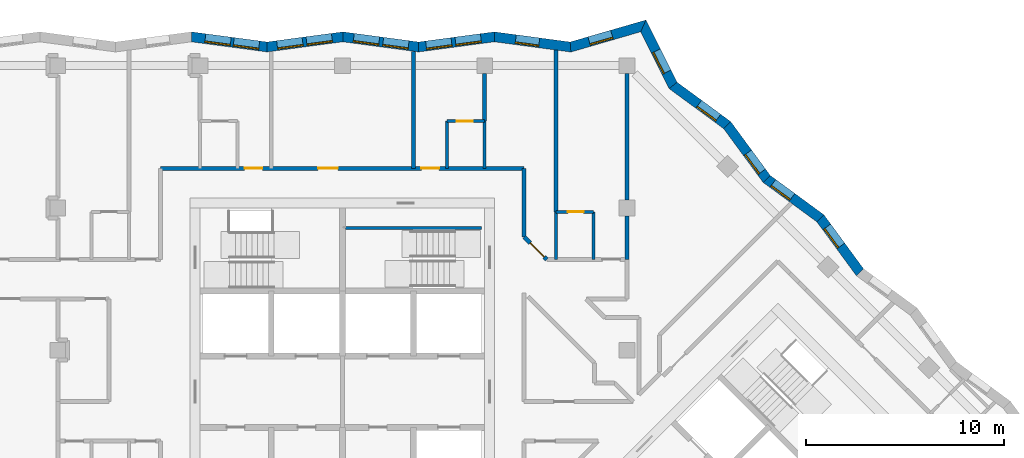
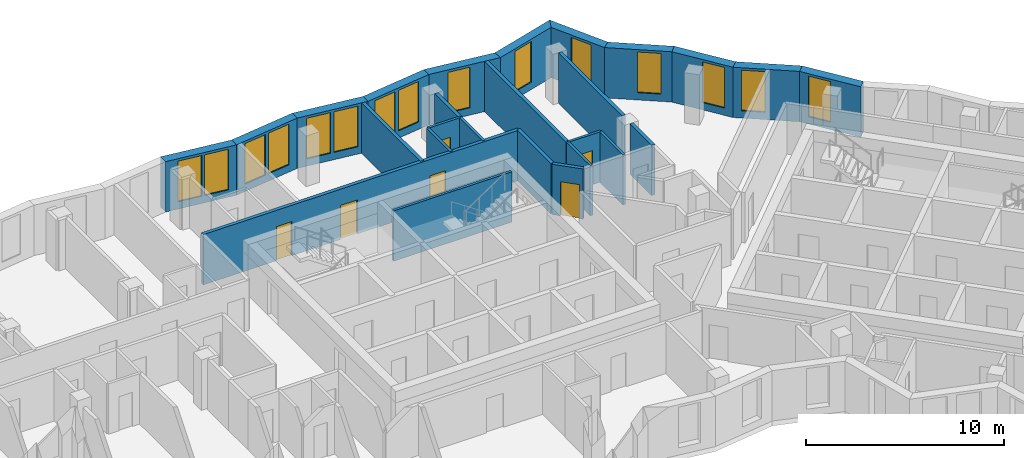
# One storey, part 7 of 12: 26 walls, 15 windows, 6 doors, 21 openings.
"""IFC4 building model written with IfcOpenShell, lengths in metres."""

from ifc_helpers import new_model, si_unit, direction, frame, frame_2d, origin, place, context, subcontext, project, spatial, polyline, rectangle, outline, extrude, material, layer, layer_set, type_object, element, fill, save


model = new_model("IFC4")

# Units and contexts
model_context = context("Model", 3, precision=1e-05, world=origin(), true_north=direction((0.0, 1.0)))
body_context = subcontext(model_context, "Body", "Model", "MODEL_VIEW")
ifc_project = project(units=[si_unit("LENGTHUNIT", "METRE"), si_unit("AREAUNIT", "SQUARE_METRE"), si_unit("VOLUMEUNIT", "CUBIC_METRE"), si_unit("PLANEANGLEUNIT", "RADIAN"), si_unit("MASSUNIT", "GRAM", prefix="KILO")], contexts=[model_context])

# Site, building, storey
site_placement = place(None, origin())
site = spatial("IfcSite", under=ifc_project, at=site_placement, CompositionType="ELEMENT")
building_placement = place(site_placement, origin())
building = spatial("IfcBuilding", under=site, at=building_placement, Name="Windrow Commons", CompositionType="ELEMENT")
storey_placement = place(building_placement, frame((0.0, 0.0, 213.4)))
storey = spatial("IfcBuildingStorey", under=building, at=storey_placement, Name="L58", CompositionType="ELEMENT", Elevation=213.4)

# Wall, opening, window
ifc_material_1 = material(Name="Brick masonry, red clay brick", Category="masonry")
ifc_layer_1 = layer(ifc_material_1, 0.5)
ifc_layer_set_1 = layer_set([ifc_layer_1], Name="Brick facade wall 500")
wall_type_1 = type_object("IfcWallType", Name="Brick facade wall 500", PredefinedType="SOLIDWALL", material=ifc_layer_set_1)
wall_1_placement = place(storey_placement, frame((90.9863, 61.5532, 0.0), z_axis=(0.0, 0.0, 1.0), x_axis=(-0.5916565162, 0.8061901555, 0.0)))
wall_1 = element("IfcWall", 1, at=wall_1_placement, inside=storey, type_object=wall_type_1, Name="Brick facade wall L58 12", PredefinedType="SOLIDWALL", context=body_context, shape_type="SweptSolid", body=[
    extrude(outline(polyline([(0.0384, -0.25), (3.4132, -0.25), (3.3365, 0.25), (-0.0384, 0.25), (0.0384, -0.25)])), origin(), (0.0, 0.0, 1.0), 3.1),
])
opening_1_placement = place(wall_1_placement, frame((1.6366, 0.0, 0.45)))
opening_1 = element("IfcOpeningElement", 2, at=opening_1_placement, cuts=wall_1, Name="Opening W7E", PredefinedType="OPENING", context=body_context, shape_type="SweptSolid", body=[
    extrude(rectangle(XDim=1.2, YDim=2.5, at=frame_2d((0.6, 1.25))), frame((0.0, 0.26, 0.0), z_axis=(0.0, -1.0, 0.0), x_axis=(1.0, 0.0, 0.0)), (0.0, 0.0, 1.0), 0.52),
])
ifc_material_2 = material(Name="Clear float glass in anodised aluminium frame", Category="aluminium")
window_type_1 = type_object("IfcWindowType", Name="Window W7 notch 1200x2500", PartitioningType="SINGLE_PANEL", PredefinedType="WINDOW", material=ifc_material_2)
window_1_placement = place(opening_1_placement, origin())
window_1 = element("IfcWindow", 3, at=window_1_placement, inside=storey, type_object=window_type_1, Name="Window L58 12.1", OverallHeight=2.5, OverallWidth=1.2, PartitioningType="SINGLE_PANEL", PredefinedType="WINDOW", context=body_context, shape_type="SweptSolid", body=[
    extrude(rectangle(XDim=1.2, YDim=2.5, at=frame_2d((0.6, 1.25))), frame((0.0, 0.18, 0.0), z_axis=(0.0, -1.0, 0.0), x_axis=(1.0, 0.0, 0.0)), (0.0, 0.0, 1.0), 0.06),
])
fill(opening_1, window_1)

wall_2_placement = place(storey_placement, frame((88.9896, 64.2739, 0.0), z_axis=(0.0, 0.0, 1.0), x_axis=(-0.806200528, 0.5916423825, 0.0)))
wall_2 = element("IfcWall", 4, at=wall_2_placement, inside=storey, type_object=wall_type_1, Name="Brick facade wall L58 13", PredefinedType="SOLIDWALL", context=body_context, shape_type="SweptSolid", body=[
    extrude(outline(polyline([(-0.0384, -0.25), (3.3365, -0.25), (3.4132, 0.25), (0.0384, 0.25), (-0.0384, -0.25)])), origin(), (0.0, 0.0, 1.0), 3.1),
])
opening_2_placement = place(wall_2_placement, frame((1.7894, 0.0, 0.45)))
opening_2 = element("IfcOpeningElement", 5, at=opening_2_placement, cuts=wall_2, Name="Opening W7E", PredefinedType="OPENING", context=body_context, shape_type="SweptSolid", body=[
    extrude(rectangle(XDim=1.2, YDim=2.5, at=frame_2d((0.6, 1.25))), frame((0.0, 0.26, 0.0), z_axis=(0.0, -1.0, 0.0), x_axis=(1.0, 0.0, 0.0)), (0.0, 0.0, 1.0), 0.52),
])
window_2_placement = place(opening_2_placement, origin())
window_2 = element("IfcWindow", 6, at=window_2_placement, inside=storey, type_object=window_type_1, Name="Window L58 13.1", OverallHeight=2.5, OverallWidth=1.2, PartitioningType="SINGLE_PANEL", PredefinedType="WINDOW", context=body_context, shape_type="SweptSolid", body=[
    extrude(rectangle(XDim=1.2, YDim=2.5, at=frame_2d((0.6, 1.25))), frame((0.0, 0.18, 0.0), z_axis=(0.0, -1.0, 0.0), x_axis=(1.0, 0.0, 0.0)), (0.0, 0.0, 1.0), 0.06),
])
fill(opening_2, window_2)

wall_3_placement = place(storey_placement, frame((86.2688, 66.2706, 0.0), z_axis=(0.0, 0.0, 1.0), x_axis=(-0.5916423825, 0.806200528, 0.0)))
wall_3 = element("IfcWall", 7, at=wall_3_placement, inside=storey, type_object=wall_type_1, Name="Brick facade wall L58 14", PredefinedType="SOLIDWALL", context=body_context, shape_type="SweptSolid", body=[
    extrude(outline(polyline([(0.0384, -0.25), (3.4132, -0.25), (3.3365, 0.25), (-0.0384, 0.25), (0.0384, -0.25)])), origin(), (0.0, 0.0, 1.0), 3.1),
])
opening_3_placement = place(wall_3_placement, frame((0.4357, 0.0, 0.45)))
opening_3 = element("IfcOpeningElement", 8, at=opening_3_placement, cuts=wall_3, Name="Opening W7E", PredefinedType="OPENING", context=body_context, shape_type="SweptSolid", body=[
    extrude(rectangle(XDim=1.2, YDim=2.5, at=frame_2d((0.6, 1.25))), frame((0.0, 0.26, 0.0), z_axis=(0.0, -1.0, 0.0), x_axis=(1.0, 0.0, 0.0)), (0.0, 0.0, 1.0), 0.52),
])
window_3_placement = place(opening_3_placement, origin())
window_3 = element("IfcWindow", 9, at=window_3_placement, inside=storey, type_object=window_type_1, Name="Window L58 14.1", OverallHeight=2.5, OverallWidth=1.2, PartitioningType="SINGLE_PANEL", PredefinedType="WINDOW", context=body_context, shape_type="SweptSolid", body=[
    extrude(rectangle(XDim=1.2, YDim=2.5, at=frame_2d((0.6, 1.25))), frame((0.0, 0.18, 0.0), z_axis=(0.0, -1.0, 0.0), x_axis=(1.0, 0.0, 0.0)), (0.0, 0.0, 1.0), 0.06),
])
fill(opening_3, window_3)

wall_4_placement = place(storey_placement, frame((84.2721, 68.9914, 0.0), z_axis=(0.0, 0.0, 1.0), x_axis=(-0.8062093458, 0.5916303667, 0.0)))
wall_4 = element("IfcWall", 10, at=wall_4_placement, inside=storey, type_object=wall_type_1, Name="Brick facade wall L58 15", PredefinedType="SOLIDWALL", context=body_context, shape_type="SweptSolid", body=[
    extrude(outline(polyline([(-0.0384, -0.25), (3.3365, -0.25), (3.4572, 0.25), (0.0384, 0.25), (-0.0384, -0.25)])), origin(), (0.0, 0.0, 1.0), 3.1),
])
opening_4_placement = place(wall_4_placement, frame((0.5885, 0.0, 0.45)))
opening_4 = element("IfcOpeningElement", 11, at=opening_4_placement, cuts=wall_4, Name="Opening W7E", PredefinedType="OPENING", context=body_context, shape_type="SweptSolid", body=[
    extrude(rectangle(XDim=1.2, YDim=2.5, at=frame_2d((0.6, 1.25))), frame((0.0, 0.26, 0.0), z_axis=(0.0, -1.0, 0.0), x_axis=(1.0, 0.0, 0.0)), (0.0, 0.0, 1.0), 0.52),
])
window_4_placement = place(opening_4_placement, origin())
window_4 = element("IfcWindow", 12, at=window_4_placement, inside=storey, type_object=window_type_1, Name="Window L58 15.1", OverallHeight=2.5, OverallWidth=1.2, PartitioningType="SINGLE_PANEL", PredefinedType="WINDOW", context=body_context, shape_type="SweptSolid", body=[
    extrude(rectangle(XDim=1.2, YDim=2.5, at=frame_2d((0.6, 1.25))), frame((0.0, 0.18, 0.0), z_axis=(0.0, -1.0, 0.0), x_axis=(1.0, 0.0, 0.0)), (0.0, 0.0, 1.0), 0.06),
])
fill(opening_4, window_4)

wall_5_placement = place(storey_placement, frame((81.5335, 71.0011, 0.0), z_axis=(0.0, 0.0, 1.0), x_axis=(-0.4471660935, 0.8944509404, 0.0)))
wall_5 = element("IfcWall", 13, at=wall_5_placement, inside=storey, type_object=wall_type_1, Name="Brick facade wall L58 16", PredefinedType="SOLIDWALL", context=body_context, shape_type="SweptSolid", body=[
    extrude(outline(polyline([(0.0604, -0.25), (3.5766, -0.25), (3.1599, 0.25), (-0.0604, 0.25), (0.0604, -0.25)])), origin(), (0.0, 0.0, 1.0), 3.1),
])
opening_5_placement = place(wall_5_placement, frame((0.7419, 0.0, 0.45)))
opening_5 = element("IfcOpeningElement", 14, at=opening_5_placement, cuts=wall_5, Name="Opening W7E", PredefinedType="OPENING", context=body_context, shape_type="SweptSolid", body=[
    extrude(rectangle(XDim=1.2, YDim=2.5, at=frame_2d((0.6, 1.25))), frame((0.0, 0.26, 0.0), z_axis=(0.0, -1.0, 0.0), x_axis=(1.0, 0.0, 0.0)), (0.0, 0.0, 1.0), 0.52),
])
window_5_placement = place(opening_5_placement, origin())
window_5 = element("IfcWindow", 15, at=window_5_placement, inside=storey, type_object=window_type_1, Name="Window L58 16.1", OverallHeight=2.5, OverallWidth=1.2, PartitioningType="SINGLE_PANEL", PredefinedType="WINDOW", context=body_context, shape_type="SweptSolid", body=[
    extrude(rectangle(XDim=1.2, YDim=2.5, at=frame_2d((0.6, 1.25))), frame((0.0, 0.18, 0.0), z_axis=(0.0, -1.0, 0.0), x_axis=(1.0, 0.0, 0.0)), (0.0, 0.0, 1.0), 0.06),
])
fill(opening_5, window_5)

wall_6_placement = place(storey_placement, frame((80.0273, 74.0139, 0.0), z_axis=(0.0, 0.0, 1.0), x_axis=(-0.9604074482, -0.2785992345, 0.0)))
wall_6 = element("IfcWall", 16, at=wall_6_placement, inside=storey, type_object=wall_type_1, Name="Brick facade wall L58 17", PredefinedType="SOLIDWALL", context=body_context, shape_type="SweptSolid", body=[
    extrude(outline(polyline([(-0.2083, -0.25), (3.7832, -0.25), (3.8885, 0.25), (0.2083, 0.25), (-0.2083, -0.25)])), origin(), (0.0, 0.0, 1.0), 3.1),
])
opening_6_placement = place(wall_6_placement, frame((1.6486, 0.0, 0.45)))
opening_6 = element("IfcOpeningElement", 17, at=opening_6_placement, cuts=wall_6, Name="Opening W7E", PredefinedType="OPENING", context=body_context, shape_type="SweptSolid", body=[
    extrude(rectangle(XDim=1.2, YDim=2.5, at=frame_2d((0.6, 1.25))), frame((0.0, 0.26, 0.0), z_axis=(0.0, -1.0, 0.0), x_axis=(1.0, 0.0, 0.0)), (0.0, 0.0, 1.0), 0.52),
])
window_6_placement = place(opening_6_placement, origin())
window_6 = element("IfcWindow", 18, at=window_6_placement, inside=storey, type_object=window_type_1, Name="Window L58 17.1", OverallHeight=2.5, OverallWidth=1.2, PartitioningType="SINGLE_PANEL", PredefinedType="WINDOW", context=body_context, shape_type="SweptSolid", body=[
    extrude(rectangle(XDim=1.2, YDim=2.5, at=frame_2d((0.6, 1.25))), frame((0.0, 0.18, 0.0), z_axis=(0.0, -1.0, 0.0), x_axis=(1.0, 0.0, 0.0)), (0.0, 0.0, 1.0), 0.06),
])
fill(opening_6, window_6)

wall_7_placement = place(storey_placement, frame((76.3432, 72.9452, 0.0), z_axis=(0.0, 0.0, 1.0), x_axis=(-0.991196865, 0.1323962796, 0.0)))
wall_7 = element("IfcWall", 19, at=wall_7_placement, inside=storey, type_object=wall_type_1, Name="Brick facade wall L58 18", PredefinedType="SOLIDWALL", context=body_context, shape_type="SweptSolid", body=[
    extrude(outline(polyline([(0.0526, -0.25), (3.9202, -0.25), (3.8535, 0.25), (-0.0526, 0.25), (0.0526, -0.25)])), origin(), (0.0, 0.0, 1.0), 3.1),
])
opening_7_placement = place(wall_7_placement, frame((1.6016, 0.0, 0.45)))
opening_7 = element("IfcOpeningElement", 20, at=opening_7_placement, cuts=wall_7, Name="Opening W7E", PredefinedType="OPENING", context=body_context, shape_type="SweptSolid", body=[
    extrude(rectangle(XDim=1.2, YDim=2.5, at=frame_2d((0.6, 1.25))), frame((0.0, 0.26, 0.0), z_axis=(0.0, -1.0, 0.0), x_axis=(1.0, 0.0, 0.0)), (0.0, 0.0, 1.0), 0.52),
])
window_7_placement = place(opening_7_placement, origin())
window_7 = element("IfcWindow", 21, at=window_7_placement, inside=storey, type_object=window_type_1, Name="Window L58 18.1", OverallHeight=2.5, OverallWidth=1.2, PartitioningType="SINGLE_PANEL", PredefinedType="WINDOW", context=body_context, shape_type="SweptSolid", body=[
    extrude(rectangle(XDim=1.2, YDim=2.5, at=frame_2d((0.6, 1.25))), frame((0.0, 0.18, 0.0), z_axis=(0.0, -1.0, 0.0), x_axis=(1.0, 0.0, 0.0)), (0.0, 0.0, 1.0), 0.06),
])
fill(opening_7, window_7)

# Wall, openings, windows
wall_8_placement = place(storey_placement, frame((72.4906, 73.4598, 0.0), z_axis=(0.0, 0.0, 1.0), x_axis=(-0.9911985198, -0.13238389, 0.0)))
wall_8 = element("IfcWall", 22, at=wall_8_placement, inside=storey, type_object=wall_type_1, Name="Brick facade wall L58 19", PredefinedType="SOLIDWALL", context=body_context, shape_type="SweptSolid", body=[
    extrude(outline(polyline([(-0.0334, -0.25), (3.8342, -0.25), (3.901, 0.25), (0.0334, 0.25), (-0.0334, -0.25)])), origin(), (0.0, 0.0, 1.0), 3.1),
])
opening_8_placement = place(wall_8_placement, frame((0.6813, 0.0, 0.45)))
opening_8 = element("IfcOpeningElement", 23, at=opening_8_placement, cuts=wall_8, Name="Opening W1Q", PredefinedType="OPENING", context=body_context, shape_type="SweptSolid", body=[
    extrude(rectangle(XDim=1.3, YDim=2.5, at=frame_2d((0.65, 1.25))), frame((0.0, 0.26, 0.0), z_axis=(0.0, -1.0, 0.0), x_axis=(1.0, 0.0, 0.0)), (0.0, 0.0, 1.0), 0.52),
])
opening_9_placement = place(wall_8_placement, frame((2.1813, 0.0, 0.45)))
opening_9 = element("IfcOpeningElement", 24, at=opening_9_placement, cuts=wall_8, Name="Opening W1Q", PredefinedType="OPENING", context=body_context, shape_type="SweptSolid", body=[
    extrude(rectangle(XDim=1.3, YDim=2.5, at=frame_2d((0.65, 1.25))), frame((0.0, 0.26, 0.0), z_axis=(0.0, -1.0, 0.0), x_axis=(1.0, 0.0, 0.0)), (0.0, 0.0, 1.0), 0.52),
])
ifc_material_3 = material(Name="Clear float glass in anodised aluminium frame", Category="aluminium")
window_type_2 = type_object("IfcWindowType", Name="Window W1Q pair 1300x2500", PartitioningType="SINGLE_PANEL", PredefinedType="WINDOW", material=ifc_material_3)
window_8_placement = place(opening_8_placement, origin())
window_8 = element("IfcWindow", 25, at=window_8_placement, inside=storey, type_object=window_type_2, Name="Window L58 19.1A", OverallHeight=2.5, OverallWidth=1.3, PartitioningType="SINGLE_PANEL", PredefinedType="WINDOW", context=body_context, shape_type="SweptSolid", body=[
    extrude(rectangle(XDim=1.3, YDim=2.5, at=frame_2d((0.65, 1.25))), frame((0.0, 0.18, 0.0), z_axis=(0.0, -1.0, 0.0), x_axis=(1.0, 0.0, 0.0)), (0.0, 0.0, 1.0), 0.06),
])
fill(opening_8, window_8)
window_9_placement = place(opening_9_placement, origin())
window_9 = element("IfcWindow", 26, at=window_9_placement, inside=storey, type_object=window_type_2, Name="Window L58 19.1B", OverallHeight=2.5, OverallWidth=1.3, PartitioningType="SINGLE_PANEL", PredefinedType="WINDOW", context=body_context, shape_type="SweptSolid", body=[
    extrude(rectangle(XDim=1.3, YDim=2.5, at=frame_2d((0.65, 1.25))), frame((0.0, 0.18, 0.0), z_axis=(0.0, -1.0, 0.0), x_axis=(1.0, 0.0, 0.0)), (0.0, 0.0, 1.0), 0.06),
])
fill(opening_9, window_9)

wall_9_placement = place(storey_placement, frame((68.6571, 72.9478, 0.0), z_axis=(0.0, 0.0, 1.0), x_axis=(-0.9911989729, 0.1323804972, 0.0)))
wall_9 = element("IfcWall", 27, at=wall_9_placement, inside=storey, type_object=wall_type_1, Name="Brick facade wall L58 20", PredefinedType="SOLIDWALL", context=body_context, shape_type="SweptSolid", body=[
    extrude(outline(polyline([(0.0334, -0.25), (3.901, -0.25), (3.8342, 0.25), (-0.0334, 0.25), (0.0334, -0.25)])), origin(), (0.0, 0.0, 1.0), 3.1),
])
opening_10_placement = place(wall_9_placement, frame((0.5171, 0.0, 0.45)))
opening_10 = element("IfcOpeningElement", 28, at=opening_10_placement, cuts=wall_9, Name="Opening W1Q", PredefinedType="OPENING", context=body_context, shape_type="SweptSolid", body=[
    extrude(rectangle(XDim=1.3, YDim=2.5, at=frame_2d((0.65, 1.25))), frame((0.0, 0.26, 0.0), z_axis=(0.0, -1.0, 0.0), x_axis=(1.0, 0.0, 0.0)), (0.0, 0.0, 1.0), 0.52),
])
opening_11_placement = place(wall_9_placement, frame((2.0171, 0.0, 0.45)))
opening_11 = element("IfcOpeningElement", 29, at=opening_11_placement, cuts=wall_9, Name="Opening W1Q", PredefinedType="OPENING", context=body_context, shape_type="SweptSolid", body=[
    extrude(rectangle(XDim=1.3, YDim=2.5, at=frame_2d((0.65, 1.25))), frame((0.0, 0.26, 0.0), z_axis=(0.0, -1.0, 0.0), x_axis=(1.0, 0.0, 0.0)), (0.0, 0.0, 1.0), 0.52),
])
window_10_placement = place(opening_10_placement, origin())
window_10 = element("IfcWindow", 30, at=window_10_placement, inside=storey, type_object=window_type_2, Name="Window L58 20.1A", OverallHeight=2.5, OverallWidth=1.3, PartitioningType="SINGLE_PANEL", PredefinedType="WINDOW", context=body_context, shape_type="SweptSolid", body=[
    extrude(rectangle(XDim=1.3, YDim=2.5, at=frame_2d((0.65, 1.25))), frame((0.0, 0.18, 0.0), z_axis=(0.0, -1.0, 0.0), x_axis=(1.0, 0.0, 0.0)), (0.0, 0.0, 1.0), 0.06),
])
fill(opening_10, window_10)
window_11_placement = place(opening_11_placement, origin())
window_11 = element("IfcWindow", 31, at=window_11_placement, inside=storey, type_object=window_type_2, Name="Window L58 20.1B", OverallHeight=2.5, OverallWidth=1.3, PartitioningType="SINGLE_PANEL", PredefinedType="WINDOW", context=body_context, shape_type="SweptSolid", body=[
    extrude(rectangle(XDim=1.3, YDim=2.5, at=frame_2d((0.65, 1.25))), frame((0.0, 0.18, 0.0), z_axis=(0.0, -1.0, 0.0), x_axis=(1.0, 0.0, 0.0)), (0.0, 0.0, 1.0), 0.06),
])
fill(opening_11, window_11)

wall_10_placement = place(storey_placement, frame((64.8235, 73.4598, 0.0), z_axis=(0.0, 0.0, 1.0), x_axis=(-0.9911985198, -0.13238389, 0.0)))
wall_10 = element("IfcWall", 32, at=wall_10_placement, inside=storey, type_object=wall_type_1, Name="Brick facade wall L58 21", PredefinedType="SOLIDWALL", context=body_context, shape_type="SweptSolid", body=[
    extrude(outline(polyline([(-0.0334, -0.25), (3.8342, -0.25), (3.901, 0.25), (0.0334, 0.25), (-0.0334, -0.25)])), origin(), (0.0, 0.0, 1.0), 3.1),
])
opening_12_placement = place(wall_10_placement, frame((0.5505, 0.0, 0.45)))
opening_12 = element("IfcOpeningElement", 33, at=opening_12_placement, cuts=wall_10, Name="Opening W1Q", PredefinedType="OPENING", context=body_context, shape_type="SweptSolid", body=[
    extrude(rectangle(XDim=1.3, YDim=2.5, at=frame_2d((0.65, 1.25))), frame((0.0, 0.26, 0.0), z_axis=(0.0, -1.0, 0.0), x_axis=(1.0, 0.0, 0.0)), (0.0, 0.0, 1.0), 0.52),
])
opening_13_placement = place(wall_10_placement, frame((2.0505, 0.0, 0.45)))
opening_13 = element("IfcOpeningElement", 34, at=opening_13_placement, cuts=wall_10, Name="Opening W1Q", PredefinedType="OPENING", context=body_context, shape_type="SweptSolid", body=[
    extrude(rectangle(XDim=1.3, YDim=2.5, at=frame_2d((0.65, 1.25))), frame((0.0, 0.26, 0.0), z_axis=(0.0, -1.0, 0.0), x_axis=(1.0, 0.0, 0.0)), (0.0, 0.0, 1.0), 0.52),
])
window_12_placement = place(opening_12_placement, origin())
window_12 = element("IfcWindow", 35, at=window_12_placement, inside=storey, type_object=window_type_2, Name="Window L58 21.1A", OverallHeight=2.5, OverallWidth=1.3, PartitioningType="SINGLE_PANEL", PredefinedType="WINDOW", context=body_context, shape_type="SweptSolid", body=[
    extrude(rectangle(XDim=1.3, YDim=2.5, at=frame_2d((0.65, 1.25))), frame((0.0, 0.18, 0.0), z_axis=(0.0, -1.0, 0.0), x_axis=(1.0, 0.0, 0.0)), (0.0, 0.0, 1.0), 0.06),
])
fill(opening_12, window_12)
window_13_placement = place(opening_13_placement, origin())
window_13 = element("IfcWindow", 36, at=window_13_placement, inside=storey, type_object=window_type_2, Name="Window L58 21.1B", OverallHeight=2.5, OverallWidth=1.3, PartitioningType="SINGLE_PANEL", PredefinedType="WINDOW", context=body_context, shape_type="SweptSolid", body=[
    extrude(rectangle(XDim=1.3, YDim=2.5, at=frame_2d((0.65, 1.25))), frame((0.0, 0.18, 0.0), z_axis=(0.0, -1.0, 0.0), x_axis=(1.0, 0.0, 0.0)), (0.0, 0.0, 1.0), 0.06),
])
fill(opening_13, window_13)

wall_11_placement = place(storey_placement, frame((60.99, 72.9478, 0.0), z_axis=(0.0, 0.0, 1.0), x_axis=(-0.9911989729, 0.1323804972, 0.0)))
wall_11 = element("IfcWall", 37, at=wall_11_placement, inside=storey, type_object=wall_type_1, Name="Brick facade wall L58 22", PredefinedType="SOLIDWALL", context=body_context, shape_type="SweptSolid", body=[
    extrude(outline(polyline([(0.0334, -0.25), (3.901, -0.25), (3.8342, 0.25), (-0.0334, 0.25), (0.0334, -0.25)])), origin(), (0.0, 0.0, 1.0), 3.1),
])
opening_14_placement = place(wall_11_placement, frame((0.41, 0.0, 0.45)))
opening_14 = element("IfcOpeningElement", 38, at=opening_14_placement, cuts=wall_11, Name="Opening W1Q", PredefinedType="OPENING", context=body_context, shape_type="SweptSolid", body=[
    extrude(rectangle(XDim=1.3, YDim=2.5, at=frame_2d((0.65, 1.25))), frame((0.0, 0.26, 0.0), z_axis=(0.0, -1.0, 0.0), x_axis=(1.0, 0.0, 0.0)), (0.0, 0.0, 1.0), 0.52),
])
opening_15_placement = place(wall_11_placement, frame((1.86, 0.0, 0.45)))
opening_15 = element("IfcOpeningElement", 39, at=opening_15_placement, cuts=wall_11, Name="Opening W1Q", PredefinedType="OPENING", context=body_context, shape_type="SweptSolid", body=[
    extrude(rectangle(XDim=1.3, YDim=2.5, at=frame_2d((0.65, 1.25))), frame((0.0, 0.26, 0.0), z_axis=(0.0, -1.0, 0.0), x_axis=(1.0, 0.0, 0.0)), (0.0, 0.0, 1.0), 0.52),
])
window_14_placement = place(opening_14_placement, origin())
window_14 = element("IfcWindow", 40, at=window_14_placement, inside=storey, type_object=window_type_2, Name="Window L58 22.1A", OverallHeight=2.5, OverallWidth=1.3, PartitioningType="SINGLE_PANEL", PredefinedType="WINDOW", context=body_context, shape_type="SweptSolid", body=[
    extrude(rectangle(XDim=1.3, YDim=2.5, at=frame_2d((0.65, 1.25))), frame((0.0, 0.18, 0.0), z_axis=(0.0, -1.0, 0.0), x_axis=(1.0, 0.0, 0.0)), (0.0, 0.0, 1.0), 0.06),
])
fill(opening_14, window_14)
window_15_placement = place(opening_15_placement, origin())
window_15 = element("IfcWindow", 41, at=window_15_placement, inside=storey, type_object=window_type_2, Name="Window L58 22.1B", OverallHeight=2.5, OverallWidth=1.3, PartitioningType="SINGLE_PANEL", PredefinedType="WINDOW", context=body_context, shape_type="SweptSolid", body=[
    extrude(rectangle(XDim=1.3, YDim=2.5, at=frame_2d((0.65, 1.25))), frame((0.0, 0.18, 0.0), z_axis=(0.0, -1.0, 0.0), x_axis=(1.0, 0.0, 0.0)), (0.0, 0.0, 1.0), 0.06),
])
fill(opening_15, window_15)

# Wall, openings, doors
ifc_material_4 = material(Name="Blockwork partition", Category="masonry")
ifc_layer_2 = layer(ifc_material_4, 0.2)
ifc_layer_set_2 = layer_set([ifc_layer_2], Name="IW-CORRIDOR-200")
wall_type_2 = type_object("IfcWallType", Name="IW-CORRIDOR-200", PredefinedType="PARTITIONING", material=ifc_layer_set_2)
wall_12_placement = place(storey_placement, frame((55.6, 66.8, 0.0), z_axis=(0.0, 0.0, 1.0), x_axis=(1.0, 0.0, 0.0)))
wall_12 = element("IfcWall", 42, at=wall_12_placement, inside=storey, type_object=wall_type_2, Name="W-L58-W001", PredefinedType="PARTITIONING", context=body_context, shape_type="SweptSolid", body=[
    extrude(rectangle(XDim=18.4, YDim=0.2, at=frame_2d((9.2, 0.0))), origin(), (0.0, 0.0, 1.0), 3.1),
])
opening_16_placement = place(wall_12_placement, frame((4.25, 0.0, 0.0)))
opening_16 = element("IfcOpeningElement", 43, at=opening_16_placement, cuts=wall_12, Name="Opening D109S", PredefinedType="OPENING", context=body_context, shape_type="SweptSolid", body=[
    extrude(rectangle(XDim=0.9, YDim=2.1, at=frame_2d((0.45, 1.05))), frame((0.0, 0.11, 0.0), z_axis=(0.0, -1.0, 0.0), x_axis=(1.0, 0.0, 0.0)), (0.0, 0.0, 1.0), 0.22),
])
opening_17_placement = place(wall_12_placement, frame((7.9737, 0.0, 0.0)))
opening_17 = element("IfcOpeningElement", 44, at=opening_17_placement, cuts=wall_12, Name="Opening D310F", PredefinedType="OPENING", context=body_context, shape_type="SweptSolid", body=[
    extrude(rectangle(XDim=1.0, YDim=2.1, at=frame_2d((0.5, 1.05))), frame((0.0, 0.11, 0.0), z_axis=(0.0, -1.0, 0.0), x_axis=(1.0, 0.0, 0.0)), (0.0, 0.0, 1.0), 0.22),
])
opening_18_placement = place(wall_12_placement, frame((13.2, 0.0, 0.0)))
opening_18 = element("IfcOpeningElement", 45, at=opening_18_placement, cuts=wall_12, Name="Opening D109S", PredefinedType="OPENING", context=body_context, shape_type="SweptSolid", body=[
    extrude(rectangle(XDim=0.9, YDim=2.1, at=frame_2d((0.45, 1.05))), frame((0.0, 0.11, 0.0), z_axis=(0.0, -1.0, 0.0), x_axis=(1.0, 0.0, 0.0)), (0.0, 0.0, 1.0), 0.22),
])
ifc_material_5 = material(Name="Timber door leaf", Category="wood")
door_type_1 = type_object("IfcDoorType", Name="DT-AMENITY-1000", OperationType="SINGLE_SWING_LEFT", PredefinedType="DOOR", material=ifc_material_5)
door_1_placement = place(opening_17_placement, origin())
door_1 = element("IfcDoor", 46, at=door_1_placement, inside=storey, type_object=door_type_1, Name="D-L58-D009", OperationType="SINGLE_SWING_LEFT", OverallHeight=2.1, OverallWidth=1.0, PredefinedType="DOOR", context=body_context, shape_type="SweptSolid", body=[
    extrude(rectangle(XDim=1.0, YDim=2.1, at=frame_2d((0.5, 1.05))), frame((0.0, 0.025, 0.0), z_axis=(0.0, -1.0, 0.0), x_axis=(1.0, 0.0, 0.0)), (0.0, 0.0, 1.0), 0.05),
])
fill(opening_17, door_1)
ifc_material_6 = material(Name="Timber door leaf", Category="wood")
door_type_2 = type_object("IfcDoorType", Name="DT-BEDROOM-900", OperationType="SINGLE_SWING_LEFT", PredefinedType="DOOR", material=ifc_material_6)
door_2_placement = place(opening_16_placement, origin())
door_2 = element("IfcDoor", 47, at=door_2_placement, inside=storey, type_object=door_type_2, Name="D-L58-D007", OperationType="SINGLE_SWING_RIGHT", OverallHeight=2.1, OverallWidth=0.9, PredefinedType="DOOR", context=body_context, shape_type="SweptSolid", body=[
    extrude(rectangle(XDim=0.9, YDim=2.1, at=frame_2d((0.45, 1.05))), frame((0.0, 0.025, 0.0), z_axis=(0.0, -1.0, 0.0), x_axis=(1.0, 0.0, 0.0)), (0.0, 0.0, 1.0), 0.05),
])
fill(opening_16, door_2)
door_3_placement = place(opening_18_placement, origin())
door_3 = element("IfcDoor", 48, at=door_3_placement, inside=storey, type_object=door_type_2, Name="D-L58-D010", OperationType="SINGLE_SWING_LEFT", OverallHeight=2.1, OverallWidth=0.9, PredefinedType="DOOR", context=body_context, shape_type="SweptSolid", body=[
    extrude(rectangle(XDim=0.9, YDim=2.1, at=frame_2d((0.45, 1.05))), frame((0.0, 0.025, 0.0), z_axis=(0.0, -1.0, 0.0), x_axis=(1.0, 0.0, 0.0)), (0.0, 0.0, 1.0), 0.05),
])
fill(opening_18, door_3)

# Wall
wall_13_placement = place(storey_placement, frame((74.0, 63.342, 0.0), z_axis=(0.0, 0.0, 1.0), x_axis=(0.0, 1.0, 0.0)))
element("IfcWall", 49, at=wall_13_placement, inside=storey, type_object=wall_type_2, Name="W-L58-W048", PredefinedType="PARTITIONING", context=body_context, shape_type="SweptSolid", body=[
    extrude(rectangle(XDim=3.458, YDim=0.2, at=frame_2d((1.729, 0.0))), origin(), (0.0, 0.0, 1.0), 3.1),
])

# Wall, opening, door
wall_14_placement = place(storey_placement, frame((73.9971, 63.3371, 0.0), z_axis=(0.0, 0.0, 1.0), x_axis=(0.7071067812, -0.7071067812, 0.0)))
wall_14 = element("IfcWall", 50, at=wall_14_placement, inside=storey, type_object=wall_type_2, Name="W-L58-W119", PredefinedType="PARTITIONING", context=body_context, shape_type="SweptSolid", body=[
    extrude(rectangle(XDim=1.6122, YDim=0.2, at=frame_2d((0.8061, 0.0))), origin(), (0.0, 0.0, 1.0), 3.1),
])
opening_19_placement = place(wall_14_placement, frame((0.4317, 0.0, 0.0)))
opening_19 = element("IfcOpeningElement", 51, at=opening_19_placement, cuts=wall_14, Name="Opening D310F", PredefinedType="OPENING", context=body_context, shape_type="SweptSolid", body=[
    extrude(rectangle(XDim=1.0, YDim=2.1, at=frame_2d((0.5, 1.05))), frame((0.0, 0.11, 0.0), z_axis=(0.0, -1.0, 0.0), x_axis=(1.0, 0.0, 0.0)), (0.0, 0.0, 1.0), 0.22),
])
door_4_placement = place(opening_19_placement, origin())
door_4 = element("IfcDoor", 52, at=door_4_placement, inside=storey, type_object=door_type_1, Name="D-L58-D022", OperationType="SINGLE_SWING_RIGHT", OverallHeight=2.1, OverallWidth=1.0, PredefinedType="DOOR", context=body_context, shape_type="SweptSolid", body=[
    extrude(rectangle(XDim=1.0, YDim=2.1, at=frame_2d((0.5, 1.05))), frame((0.0, 0.025, 0.0), z_axis=(0.0, -1.0, 0.0), x_axis=(1.0, 0.0, 0.0)), (0.0, 0.0, 1.0), 0.05),
])
fill(opening_19, door_4)

# Walls
ifc_material_7 = material(Name="Blockwork partition", Category="masonry")
ifc_layer_3 = layer(ifc_material_7, 0.15)
ifc_layer_set_3 = layer_set([ifc_layer_3], Name="IW-ENSUITE-150")
wall_type_3 = type_object("IfcWallType", Name="IW-ENSUITE-150", PredefinedType="PARTITIONING", material=ifc_layer_set_3)
for number, where, z_axis, x_axis, name in (
    (53, (70.1, 66.8, 0.0), (0.0, 0.0, 1.0), (0.0, 1.0, 0.0), "W-L58-W066"),
    (54, (72.0, 66.8, 0.0), (0.0, 0.0, 1.0), (0.0, 1.0, 0.0), "W-L58-W067"),
    (55, (75.6, 62.2, 0.0), (0.0, 0.0, 1.0), (0.0, 1.0, 0.0), "W-L58-W080"),
    (56, (77.5, 62.2, 0.0), (0.0, 0.0, 1.0), (0.0, 1.0, 0.0), "W-L58-W081"),
):
    element("IfcWall", number, at=place(storey_placement, frame(where, z_axis=z_axis, x_axis=x_axis)), inside=storey, type_object=wall_type_3, Name=name, PredefinedType="PARTITIONING", context=body_context, shape_type="SweptSolid", body=[
        extrude(rectangle(XDim=2.4, YDim=0.15, at=frame_2d((1.2, 0.0))), origin(), (0.0, 0.0, 1.0), 3.1),
    ])

# Wall, opening, door
wall_15_placement = place(storey_placement, frame((75.6, 64.6, 0.0), z_axis=(0.0, 0.0, 1.0), x_axis=(1.0, 0.0, 0.0)))
wall_15 = element("IfcWall", 57, at=wall_15_placement, inside=storey, type_object=wall_type_3, Name="W-L58-W107", PredefinedType="PARTITIONING", context=body_context, shape_type="SweptSolid", body=[
    extrude(rectangle(XDim=1.9, YDim=0.15, at=frame_2d((0.95, 0.0))), origin(), (0.0, 0.0, 1.0), 3.1),
])
opening_20_placement = place(wall_15_placement, frame((0.6069, 0.0, 0.0)))
opening_20 = element("IfcOpeningElement", 58, at=opening_20_placement, cuts=wall_15, Name="Opening D208N", PredefinedType="OPENING", context=body_context, shape_type="SweptSolid", body=[
    extrude(rectangle(XDim=0.8, YDim=2.1, at=frame_2d((0.4, 1.05))), frame((0.0, 0.085, 0.0), z_axis=(0.0, -1.0, 0.0), x_axis=(1.0, 0.0, 0.0)), (0.0, 0.0, 1.0), 0.17),
])
ifc_material_8 = material(Name="Timber door leaf", Category="wood")
door_type_3 = type_object("IfcDoorType", Name="DT-ENSUITE-800", OperationType="SINGLE_SWING_LEFT", PredefinedType="DOOR", material=ifc_material_8)
door_5_placement = place(opening_20_placement, origin())
door_5 = element("IfcDoor", 59, at=door_5_placement, inside=storey, type_object=door_type_3, Name="D-L58-D024", OperationType="SINGLE_SWING_RIGHT", OverallHeight=2.1, OverallWidth=0.8, PredefinedType="DOOR", context=body_context, shape_type="SweptSolid", body=[
    extrude(rectangle(XDim=0.8, YDim=2.1, at=frame_2d((0.4, 1.05))), frame((0.0, 0.025, 0.0), z_axis=(0.0, -1.0, 0.0), x_axis=(1.0, 0.0, 0.0)), (0.0, 0.0, 1.0), 0.05),
])
fill(opening_20, door_5)

wall_16_placement = place(storey_placement, frame((70.1, 69.2, 0.0), z_axis=(0.0, 0.0, 1.0), x_axis=(1.0, 0.0, 0.0)))
wall_16 = element("IfcWall", 60, at=wall_16_placement, inside=storey, type_object=wall_type_3, Name="W-L58-W108", PredefinedType="PARTITIONING", context=body_context, shape_type="SweptSolid", body=[
    extrude(rectangle(XDim=1.9, YDim=0.15, at=frame_2d((0.95, 0.0))), origin(), (0.0, 0.0, 1.0), 3.1),
])
opening_21_placement = place(wall_16_placement, frame((0.4931, 0.0, 0.0)))
opening_21 = element("IfcOpeningElement", 61, at=opening_21_placement, cuts=wall_16, Name="Opening D208N", PredefinedType="OPENING", context=body_context, shape_type="SweptSolid", body=[
    extrude(rectangle(XDim=0.8, YDim=2.1, at=frame_2d((0.4, 1.05))), frame((0.0, 0.085, 0.0), z_axis=(0.0, -1.0, 0.0), x_axis=(1.0, 0.0, 0.0)), (0.0, 0.0, 1.0), 0.17),
])
door_6_placement = place(opening_21_placement, origin())
door_6 = element("IfcDoor", 62, at=door_6_placement, inside=storey, type_object=door_type_3, Name="D-L58-D011", OperationType="SINGLE_SWING_RIGHT", OverallHeight=2.1, OverallWidth=0.8, PredefinedType="DOOR", context=body_context, shape_type="SweptSolid", body=[
    extrude(rectangle(XDim=0.8, YDim=2.1, at=frame_2d((0.4, 1.05))), frame((0.0, 0.025, 0.0), z_axis=(0.0, -1.0, 0.0), x_axis=(1.0, 0.0, 0.0)), (0.0, 0.0, 1.0), 0.05),
])
fill(opening_21, door_6)

# Walls
ifc_material_9 = material(Name="Blockwork partition", Category="masonry")
ifc_layer_4 = layer(ifc_material_9, 0.2)
ifc_layer_set_4 = layer_set([ifc_layer_4], Name="IW-PARTY-200")
wall_type_4 = type_object("IfcWallType", Name="IW-PARTY-200", PredefinedType="PARTITIONING", material=ifc_layer_set_4)
wall_17_placement = place(storey_placement, frame((75.6, 64.6, 0.0), z_axis=(0.0, 0.0, 1.0), x_axis=(0.0, 1.0, 0.0)))
element("IfcWall", 63, at=wall_17_placement, inside=storey, type_object=wall_type_4, Name="W-L58-W012", PredefinedType="PARTITIONING", context=body_context, shape_type="SweptSolid", body=[
    extrude(rectangle(XDim=8.1923, YDim=0.2, at=frame_2d((4.0961, 0.0))), origin(), (0.0, 0.0, 1.0), 3.1),
])
wall_18_placement = place(storey_placement, frame((79.2, 65.2, 0.0), z_axis=(0.0, 0.0, 1.0), x_axis=(0.0, 1.0, 0.0)))
element("IfcWall", 64, at=wall_18_placement, inside=storey, type_object=wall_type_4, Name="W-L58-W019", PredefinedType="PARTITIONING", context=body_context, shape_type="SweptSolid", body=[
    extrude(rectangle(XDim=6.4, YDim=0.2, at=frame_2d((3.2, 0.0))), origin(), (0.0, 0.0, 1.0), 3.1),
])
wall_19_placement = place(storey_placement, frame((68.4, 66.8, 0.0), z_axis=(0.0, 0.0, 1.0), x_axis=(0.0, 1.0, 0.0)))
element("IfcWall", 65, at=wall_19_placement, inside=storey, type_object=wall_type_4, Name="W-L58-W025", PredefinedType="PARTITIONING", context=body_context, shape_type="SweptSolid", body=[
    extrude(rectangle(XDim=5.9299, YDim=0.2, at=frame_2d((2.9649, 0.0))), origin(), (0.0, 0.0, 1.0), 3.1),
])
wall_20_placement = place(storey_placement, frame((72.0, 69.2, 0.0), z_axis=(0.0, 0.0, 1.0), x_axis=(0.0, 1.0, 0.0)))
element("IfcWall", 66, at=wall_20_placement, inside=storey, type_object=wall_type_4, Name="W-L58-W079", PredefinedType="PARTITIONING", context=body_context, shape_type="SweptSolid", body=[
    extrude(rectangle(XDim=2.4, YDim=0.2, at=frame_2d((1.2, 0.0))), origin(), (0.0, 0.0, 1.0), 3.1),
])
wall_21_placement = place(storey_placement, frame((79.2, 62.2, 0.0), z_axis=(0.0, 0.0, 1.0), x_axis=(0.0, 1.0, 0.0)))
element("IfcWall", 67, at=wall_21_placement, inside=storey, type_object=wall_type_4, Name="W-L58-W092", PredefinedType="PARTITIONING", context=body_context, shape_type="SweptSolid", body=[
    extrude(rectangle(XDim=2.2, YDim=0.2, at=frame_2d((1.1, 0.0))), origin(), (0.0, 0.0, 1.0), 3.1),
])
ifc_material_10 = material(Name="Blockwork partition", Category="masonry")
ifc_layer_5 = layer(ifc_material_10, 0.15)
ifc_layer_set_5 = layer_set([ifc_layer_5], Name="Riser partition 150")
wall_type_5 = type_object("IfcWallType", Name="Riser partition 150", PredefinedType="PARTITIONING", material=ifc_layer_set_5)
wall_22_placement = place(storey_placement, frame((64.95, 63.78, 0.0), z_axis=(0.0, 0.0, 1.0), x_axis=(1.0, 0.0, 0.0)))
element("IfcWall", 68, at=wall_22_placement, inside=storey, type_object=wall_type_5, Name="W-core-strip-A-L58", PredefinedType="PARTITIONING", context=body_context, shape_type="SweptSolid", body=[
    extrude(rectangle(XDim=6.9, YDim=0.15, at=frame_2d((3.45, 0.0))), origin(), (0.0, 0.0, 1.0), 3.1),
])

save(model, "model.ifc")
